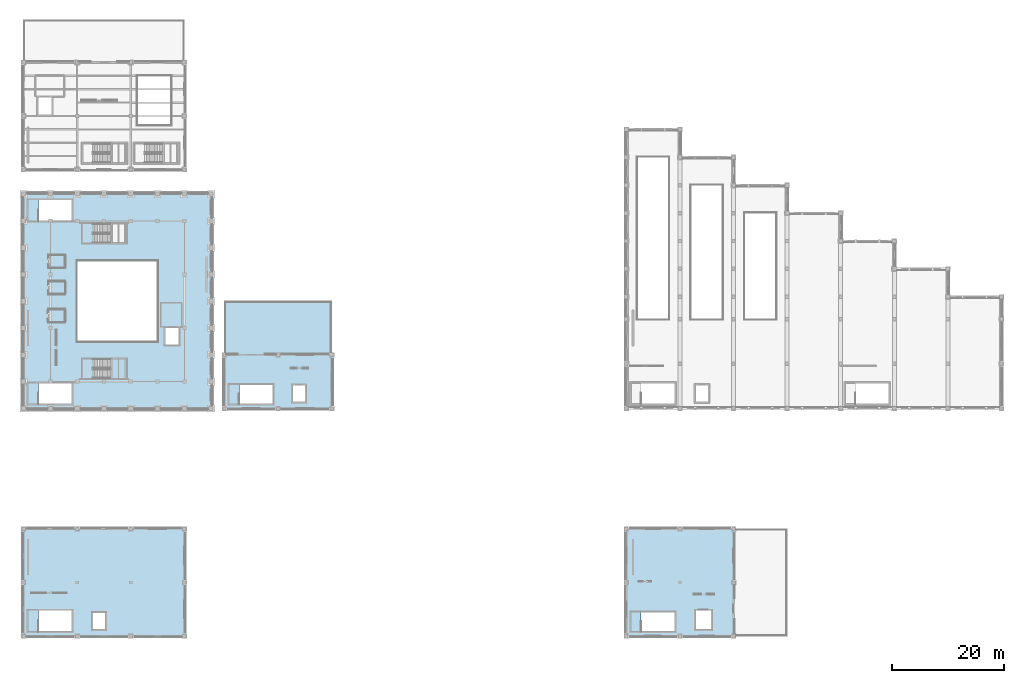
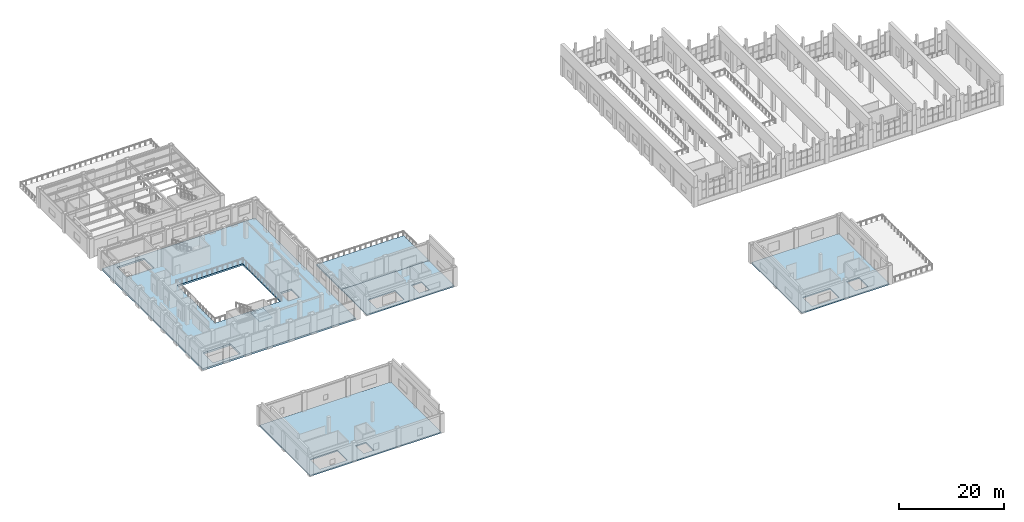
# One storey, part 20 of 46: 6 slabs, 1 element without a shape of its own.
"""IFC4 building model written with IfcOpenShell, lengths in metres."""

from ifc_helpers import new_model, si_unit, direction, frame, origin, place, context, subcontext, project, spatial, polyline, outline, extrude, material, layer, layer_set, type_object, element, aggregate, save


model = new_model("IFC4")

# Units and contexts
model_context = context("Model", 3, precision=1e-05, world=origin(), true_north=direction((0.0, 1.0)))
body_context = subcontext(model_context, "Body", "Model", "MODEL_VIEW")
ifc_project = project(units=[si_unit("LENGTHUNIT", "METRE"), si_unit("AREAUNIT", "SQUARE_METRE"), si_unit("VOLUMEUNIT", "CUBIC_METRE"), si_unit("PLANEANGLEUNIT", "RADIAN"), si_unit("MASSUNIT", "GRAM", prefix="KILO")], contexts=[model_context])

# Site, building, storey
site_placement = place(None, origin())
site = spatial("IfcSite", under=ifc_project, at=site_placement, CompositionType="ELEMENT")
building_placement = place(site_placement, origin())
building = spatial("IfcBuilding", under=site, at=building_placement, Name="Mavantir Sound Aquarium", CompositionType="ELEMENT")
storey_placement = place(building_placement, frame((0.0, 0.0, 15.300048828125)))
storey = spatial("IfcBuildingStorey", under=building, at=storey_placement, Name="L03", CompositionType="ELEMENT", Elevation=15.300048828125)

# Slabs
ifc_material_1 = material(Name="Concrete C45/55", Category="concrete")
ifc_layer_1 = layer(ifc_material_1, 0.39990234375, Name="Concrete C45/55")
ifc_layer_set_1 = layer_set([ifc_layer_1], Name="Concrete C45/55")
slab_type_1 = type_object("IfcSlabType", Name="SLB-FS-01", PredefinedType="FLOOR", material=ifc_layer_set_1)
slab_1_placement = place(storey_placement, frame((0.0, 0.0, -0.400146484375)))
element("IfcSlab", 1, at=slab_1_placement, inside=storey, type_object=slab_type_1, Name="L03 structural slab FS-01 (V1)", PredefinedType="FLOOR", context=body_context, shape_type="SweptSolid", body=[
    extrude(outline(polyline([(33.60009765625, 40.800048828125), (33.60009765625, 79.199951171875), (0.0, 79.199951171875), (0.0, 40.800048828125), (33.60009765625, 40.800048828125)]), holes=[polyline([(9.60009765625, 52.800048828125), (24.0, 52.800048828125), (24.0, 67.199951171875), (9.60009765625, 67.199951171875), (9.60009765625, 52.800048828125)]), polyline([(2.64990234375, 41.60009765625), (8.64990234375, 41.60009765625), (8.64990234375, 45.35009765625), (2.64990234375, 45.35009765625), (2.64990234375, 41.60009765625)]), polyline([(2.64990234375, 74.39990234375), (8.64990234375, 74.39990234375), (8.64990234375, 78.14990234375), (2.64990234375, 78.14990234375), (2.64990234375, 74.39990234375)]), polyline([(25.39990234375, 52.199951171875), (27.800048828125, 52.199951171875), (27.800048828125, 55.300048828125), (25.39990234375, 55.300048828125), (25.39990234375, 52.199951171875)])]), origin(), (0.0, 0.0, 1.0), 0.400146484375),
])
ifc_material_2 = material(Name="Concrete C40/50", Category="concrete")
ifc_layer_2 = layer(ifc_material_2, 0.280029296875, Name="Concrete C40/50")
ifc_layer_set_2 = layer_set([ifc_layer_2], Name="Concrete C40/50")
slab_type_2 = type_object("IfcSlabType", Name="SLB-FS-04", PredefinedType="FLOOR", material=ifc_layer_set_2)
slab_2_placement = place(storey_placement, frame((0.0, 0.0, -0.280029296875)))
element("IfcSlab", 2, at=slab_2_placement, inside=storey, type_object=slab_type_2, Name="L03 structural slab FS-04 (V2)", PredefinedType="FLOOR", context=body_context, shape_type="SweptSolid", body=[
    extrude(outline(polyline([(55.199951171875, 40.800048828125), (55.199951171875, 50.39990234375), (36.0, 50.39990234375), (36.0, 40.800048828125), (55.199951171875, 40.800048828125)]), holes=[polyline([(38.64990234375, 41.60009765625), (44.64990234375, 41.60009765625), (44.64990234375, 45.050048828125), (38.64990234375, 45.050048828125), (38.64990234375, 41.60009765625)]), polyline([(48.199951171875, 42.0), (50.449951171875, 42.0), (50.449951171875, 45.0), (48.199951171875, 45.0), (48.199951171875, 42.0)])]), origin(), (0.0, 0.0, 1.0), 0.280029296875),
])
slab_3_placement = place(storey_placement, frame((0.0, 0.0, -0.280029296875)))
element("IfcSlab", 3, at=slab_3_placement, inside=storey, type_object=slab_type_2, Name="L03 structural slab FS-04 (V3)", PredefinedType="FLOOR", context=body_context, shape_type="SweptSolid", body=[
    extrude(outline(polyline([(28.800048828125, 0.0), (28.800048828125, 19.199951171875), (0.0, 19.199951171875), (0.0, 0.0), (28.800048828125, 0.0)]), holes=[polyline([(2.64990234375, 0.85009765625), (8.64990234375, 0.85009765625), (8.64990234375, 4.60009765625), (2.64990234375, 4.60009765625), (2.64990234375, 0.85009765625)]), polyline([(12.39990234375, 1.199951171875), (14.64990234375, 1.199951171875), (14.64990234375, 4.199951171875), (12.39990234375, 4.199951171875), (12.39990234375, 1.199951171875)])]), origin(), (0.0, 0.0, 1.0), 0.280029296875),
])
slab_4_placement = place(storey_placement, frame((0.0, 0.0, -0.280029296875)))
element("IfcSlab", 4, at=slab_4_placement, inside=storey, type_object=slab_type_2, Name="L03 structural slab FS-04 (V6)", PredefinedType="FLOOR", context=body_context, shape_type="SweptSolid", body=[
    extrude(outline(polyline([(127.199951171875, 0.0), (127.199951171875, 19.199951171875), (108.0, 19.199951171875), (108.0, 0.0), (127.199951171875, 0.0)]), holes=[polyline([(110.64990234375, 0.85009765625), (116.64990234375, 0.85009765625), (116.64990234375, 4.300048828125), (110.64990234375, 4.300048828125), (110.64990234375, 0.85009765625)]), polyline([(120.39990234375, 1.199951171875), (123.199951171875, 1.199951171875), (123.199951171875, 4.60009765625), (120.39990234375, 4.60009765625), (120.39990234375, 1.199951171875)])]), origin(), (0.0, 0.0, 1.0), 0.280029296875),
])

# Stair, slab
stair_type = type_object("IfcStairType", Name="STR-1650-4500", PredefinedType="HALF_TURN_STAIR", material=ifc_material_2)
stair_placement = place(storey_placement, origin())
stair = element("IfcStair", 5, at=stair_placement, inside=storey, type_object=stair_type, Name="L03 Protected exit stair ST9", PredefinedType="HALF_TURN_STAIR")
ifc_layer_3 = layer(ifc_material_2, 0.199951171875, Name="Concrete C40/50")
ifc_layer_set_3 = layer_set([ifc_layer_3], Name="Concrete C40/50")
slab_type_3 = type_object("IfcSlabType", Name="SLB-LND-360", PredefinedType="LANDING", material=ifc_layer_set_3)
slab_5_placement = place(storey_placement, frame((0.0, 0.0, 2.050048828125)))
slab_5 = element("IfcSlab", 6, at=slab_5_placement, type_object=slab_type_3, Name="ST9 landing 1", PredefinedType="LANDING", context=body_context, shape_type="SweptSolid", body=[
    extrude(outline(polyline([(15.590087890625, 46.199951171875), (18.39990234375, 46.199951171875), (18.39990234375, 49.64990234375), (15.590087890625, 49.64990234375), (15.590087890625, 46.199951171875)])), origin(), (0.0, 0.0, 1.0), 0.199951171875),
])
aggregate(stair, [slab_5])

# Slab
ifc_layer_4 = layer(ifc_material_2, 0.320068359375, Name="Concrete C40/50")
ifc_layer_set_4 = layer_set([ifc_layer_4], Name="Concrete C40/50")
slab_type_4 = type_object("IfcSlabType", Name="SLB-TRS-01", PredefinedType="FLOOR", material=ifc_layer_set_4)
slab_6_placement = place(storey_placement, frame((0.0, 0.0, -0.320068359375)))
element("IfcSlab", 7, at=slab_6_placement, inside=storey, type_object=slab_type_4, Name="L03 outdoor terrace slab TRS-01", PredefinedType="FLOOR", context=body_context, shape_type="SweptSolid", body=[
    extrude(outline(polyline([(36.0, 50.39990234375), (55.199951171875, 50.39990234375), (55.199951171875, 60.0), (36.0, 60.0), (36.0, 50.39990234375)])), origin(), (0.0, 0.0, 1.0), 0.320068359375),
])

save(model, "model.ifc")
